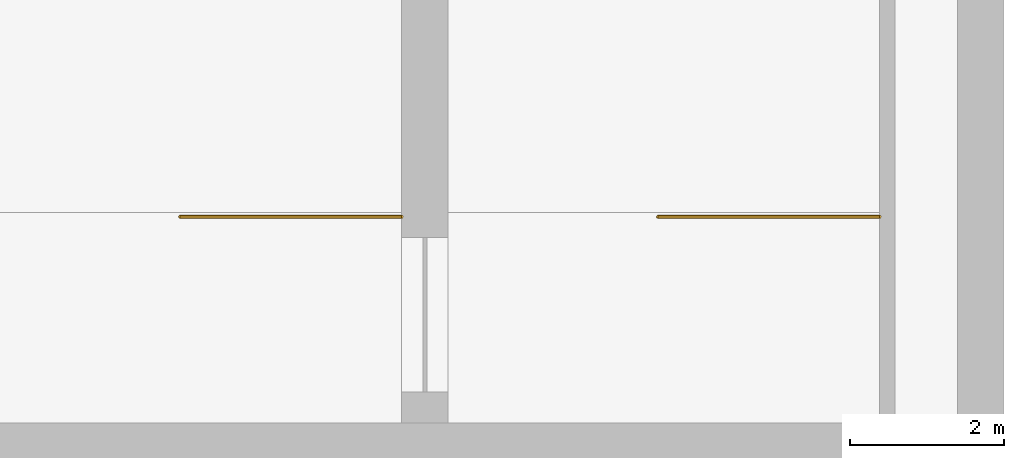
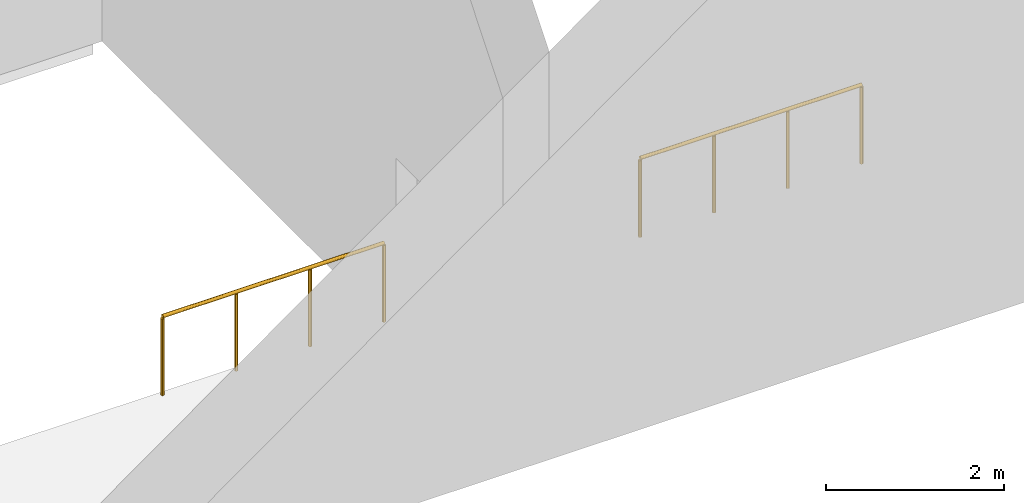
# One storey, part 23 of 24: 2 railings.
"""IFC4 building model written with IfcOpenShell, lengths in metres."""

import ifcopenshell
import ifcopenshell.guid

model = None  # the IFC model being written
_history = None  # IfcOwnerHistory: only IFC2X3 demands one
_inside = {}  # id of a spatial element -> (the spatial element, [elements in it])
_under = {}  # id of a project, library or spatial element -> (it, [spatial elements below it])
_declared = {}  # id of a project -> (the project, [libraries it declares])
_typed = {}  # id of a type object -> (the type object, [elements of that type])
_made_of = {}  # id of a material, layer set ... -> (it, [elements and type objects made of it])


def new_model(schema):
    """Start an empty IFC model of exactly this schema.

    Asked for "IFC4X3", IfcOpenShell would pick the latest addendum, in which some entities
    have other attributes; the version numbers below select the first issue.
    IFC2X3 requires an IfcOwnerHistory on every rooted entity: one is made here for all.
    """
    global model, _history
    if schema == "IFC4X3":
        model = ifcopenshell.file(schema_version=(4, 3, 0, 0))
    else:
        model = ifcopenshell.file(schema=schema)
    _inside.clear()
    _under.clear()
    _declared.clear()
    _typed.clear()
    _made_of.clear()
    _history = None
    if model.schema == "IFC2X3":
        org = make("IfcOrganization", Name="unknown")
        user = make(
            "IfcPersonAndOrganization",
            ThePerson=make("IfcPerson", FamilyName="unknown"),
            TheOrganization=org,
        )
        app = make(
            "IfcApplication",
            ApplicationDeveloper=org,
            Version="unknown",
            ApplicationFullName="unknown",
            ApplicationIdentifier="unknown",
        )
        _history = make(
            "IfcOwnerHistory",
            OwningUser=user,
            OwningApplication=app,
            ChangeAction="ADDED",
            CreationDate=0,
        )
    return model


def make(cls, **values):
    """One entity of the class cls with the attributes given. An attribute that is None is left unset."""
    return model.create_entity(
        cls, **{name: value for name, value in values.items() if value is not None}
    )


def rooted(cls, **values):
    """An entity with a GlobalId (a new one), such as an element, a storey or a relation."""
    return make(cls, GlobalId=ifcopenshell.guid.new(), OwnerHistory=_history, **values)


def si_unit(unit_type, name, prefix=None):
    """IfcSIUnit, for example si_unit("LENGTHUNIT", "METRE", prefix="MILLI")."""
    return make("IfcSIUnit", UnitType=unit_type, Prefix=prefix, Name=name)


def assignment(units):
    """IfcUnitAssignment: the units of a project."""
    return None if units is None else make("IfcUnitAssignment", Units=units)


def point(xyz):
    """IfcCartesianPoint."""
    return None if xyz is None else make("IfcCartesianPoint", Coordinates=xyz)


def direction(xyz):
    """IfcDirection."""
    return None if xyz is None else make("IfcDirection", DirectionRatios=xyz)


def frame(location, z_axis=None, x_axis=None):
    """IfcAxis2Placement3D, a coordinate frame: its origin and axes. An axis left out is left unset."""
    return make(
        "IfcAxis2Placement3D",
        Location=point(location),
        Axis=direction(z_axis),
        RefDirection=direction(x_axis),
    )


def frame_2d(location, x_axis=None):
    """IfcAxis2Placement2D, a coordinate frame in the plane: its origin and x axis."""
    return make(
        "IfcAxis2Placement2D", Location=point(location), RefDirection=direction(x_axis)
    )


def origin():
    """The frame at (0, 0, 0) with its axes left unset."""
    return frame((0.0, 0.0, 0.0))


def origin_2d():
    """The frame at (0, 0) in the plane with its x axis left unset."""
    return frame_2d((0.0, 0.0))


def place(relative_to, where):
    """IfcLocalPlacement: puts the frame where relative to a parent placement (None: the world)."""
    return make(
        "IfcLocalPlacement", PlacementRelTo=relative_to, RelativePlacement=where
    )


def context(
    kind, dimensions, precision=None, world=None, true_north=None, identifier=None
):
    """IfcGeometricRepresentationContext, for example the 3D "Model" context."""
    return make(
        "IfcGeometricRepresentationContext",
        ContextIdentifier=identifier,
        ContextType=kind,
        CoordinateSpaceDimension=dimensions,
        Precision=precision,
        WorldCoordinateSystem=world,
        TrueNorth=true_north,
    )


def subcontext(parent, identifier, kind, view, scale=None):
    """IfcGeometricRepresentationSubContext, for example "Body" below "Model"."""
    return make(
        "IfcGeometricRepresentationSubContext",
        ContextIdentifier=identifier,
        ContextType=kind,
        ParentContext=parent,
        TargetScale=scale,
        TargetView=view,
    )


def project(units=None, contexts=None):
    """IfcProject with its units and contexts."""
    return rooted(
        "IfcProject",
        Name="project",
        RepresentationContexts=contexts,
        UnitsInContext=assignment(units),
    )


def spatial(cls, under=None, at=None, **own):
    """A site, building, storey or space (cls), placed at a placement, below another one or the project."""
    s = rooted(cls, ObjectPlacement=at, **own)
    if under is not None:
        _under.setdefault(under.id(), (under, []))[1].append(s)
    return s


def profile(cls, at=None, kind="AREA", **sizes):
    """A parametric profile (cls). Its sizes go by their IFC names, for example OverallWidth=200.0."""
    return make(cls, ProfileType=kind, Position=at, **sizes)


def circle(**sizes):
    """IfcCircleProfileDef."""
    return profile("IfcCircleProfileDef", **sizes)


def extrude(swept, where, along, depth):
    """IfcExtrudedAreaSolid: the profile swept, set in the frame where, extruded along a direction by depth."""
    return make(
        "IfcExtrudedAreaSolid",
        SweptArea=swept,
        Position=where,
        ExtrudedDirection=direction(along),
        Depth=depth,
    )


def shape(context_of_items, identifier, shape_type, items):
    """IfcShapeRepresentation: the items that make up one representation, for example the "Body"."""
    return make(
        "IfcShapeRepresentation",
        ContextOfItems=context_of_items,
        RepresentationIdentifier=identifier,
        RepresentationType=shape_type,
        Items=items,
    )


def material(Name=None, Category=None):
    """IfcMaterial."""
    return make("IfcMaterial", Name=Name, Category=Category)


def made_of(thing, what):
    """Note that an element or type object is made of a material, layer set ...; save() writes the relation."""
    if what is not None:
        _made_of.setdefault(what.id(), (what, []))[1].append(thing)
    return thing


def type_object(cls, material=None, **own):
    """A type object (cls), such as IfcWallType, which elements share."""
    return made_of(rooted(cls, **own), material)


def element(
    cls,
    number,
    at=None,
    inside=None,
    cuts=None,
    type_object=None,
    material=None,
    context=None,
    identifier="Body",
    shape_type=None,
    held_by="IfcProductDefinitionShape",
    body=None,
    shapes=None,
    **own,
):
    """One element of the class cls, such as IfcWall. Its Tag is "e" and its number.

    at: its placement. inside: the storey or other place that contains it. cuts: it is an
    opening in that element (IfcRelVoidsElement). A single representation is given by context,
    identifier, shape_type and body (its items); several are given by shapes. held_by: the class
    of the entity that holds the representations. save() writes the other relations.
    """
    e = rooted(cls, Tag="e%d" % number, ObjectPlacement=at, **own)
    if body is not None:
        shapes = [shape(context, identifier, shape_type, body)]
    if shapes is not None:
        e.Representation = make(held_by, Representations=shapes)
    if inside is not None:
        _inside.setdefault(inside.id(), (inside, []))[1].append(e)
    if cuts is not None:
        rooted(
            "IfcRelVoidsElement", RelatingBuildingElement=cuts, RelatedOpeningElement=e
        )
    if type_object is not None:
        _typed.setdefault(type_object.id(), (type_object, []))[1].append(e)
    return made_of(e, material)


def aggregate(whole, parts):
    """IfcRelAggregates: a whole, such as a stair, and the parts it consists of."""
    return rooted("IfcRelAggregates", RelatingObject=whole, RelatedObjects=parts)


def save(model, path):
    """Write the relations noted so far, then the file.

    IfcRelAggregates (storeys below a building ...), IfcRelContainedInSpatialStructure (elements
    in a storey), IfcRelDefinesByType, IfcRelAssociatesMaterial and IfcRelDeclares: one each for
    every whole, place, type object, material and project.
    """
    for whole, parts in _under.values():
        aggregate(whole, parts)
    for where, things in _inside.values():
        rooted(
            "IfcRelContainedInSpatialStructure",
            RelatedElements=things,
            RelatingStructure=where,
        )
    for kind, things in _typed.values():
        rooted("IfcRelDefinesByType", RelatedObjects=things, RelatingType=kind)
    for what, things in _made_of.values():
        rooted("IfcRelAssociatesMaterial", RelatedObjects=things, RelatingMaterial=what)
    for by, libraries in _declared.values():
        rooted("IfcRelDeclares", RelatingContext=by, RelatedDefinitions=libraries)
    model.write(path)


model = new_model("IFC4")

# Units and contexts
model_context = context("Model", 3, precision=1e-05, world=origin(), true_north=direction((0.0, 1.0)))
body_context = subcontext(model_context, "Body", "Model", "MODEL_VIEW")
ifc_project = project(units=[si_unit("LENGTHUNIT", "METRE"), si_unit("AREAUNIT", "SQUARE_METRE"), si_unit("VOLUMEUNIT", "CUBIC_METRE"), si_unit("PLANEANGLEUNIT", "RADIAN"), si_unit("MASSUNIT", "GRAM", prefix="KILO")], contexts=[model_context])

# Site, building, storey
site_placement = place(None, origin())
site = spatial("IfcSite", under=ifc_project, at=site_placement, CompositionType="ELEMENT")
building_placement = place(site_placement, origin())
building = spatial("IfcBuilding", under=site, at=building_placement, Name="Corbelhall Arena Tower", CompositionType="ELEMENT")
storey_placement = place(building_placement, frame((0.0, 0.0, 60.0)))
storey = spatial("IfcBuildingStorey", under=building, at=storey_placement, Name="L08", CompositionType="ELEMENT", Elevation=60.0)

# Railings
ifc_material = material(Name="Stainless steel A4", Category="steel")
railing_type = type_object("IfcRailingType", Name="AR-STAIR-GUARD", PredefinedType="GUARDRAIL", material=ifc_material)
for number, where, name in (
    (1, (40.199951171875, 27.27001953125, 0.0), "L08 AS1 top well guards"),
    (2, (46.389892578125, 27.27001953125, 0.0), "L08 AS2 top well guards"),
):
    element("IfcRailing", number, at=place(storey_placement, frame(where)), inside=storey, type_object=railing_type, Name=name, PredefinedType="GUARDRAIL", context=body_context, shape_type="SweptSolid", body=[
        extrude(circle(Radius=0.02392578125, at=origin_2d()), frame((0.0, 0.0, 1.076171875), z_axis=(-1.0, 0.0, 0.0), x_axis=(0.0, -1.0, 0.0)), (0.0, 0.0, 1.0), 2.869873046875),
        extrude(circle(Radius=0.02099609375, at=origin_2d()), origin(), (0.0, 0.0, 1.0), 1.052001953125),
        extrude(circle(Radius=0.02099609375, at=origin_2d()), frame((-0.95654296875, 0.0, 0.0)), (0.0, 0.0, 1.0), 1.052001953125),
        extrude(circle(Radius=0.02099609375, at=origin_2d()), frame((-1.913330078125, 0.0, 0.0)), (0.0, 0.0, 1.0), 1.052001953125),
        extrude(circle(Radius=0.02099609375, at=origin_2d()), frame((-2.869873046875, 0.0, 0.0)), (0.0, 0.0, 1.0), 1.052001953125),
    ])

save(model, "model.ifc")
